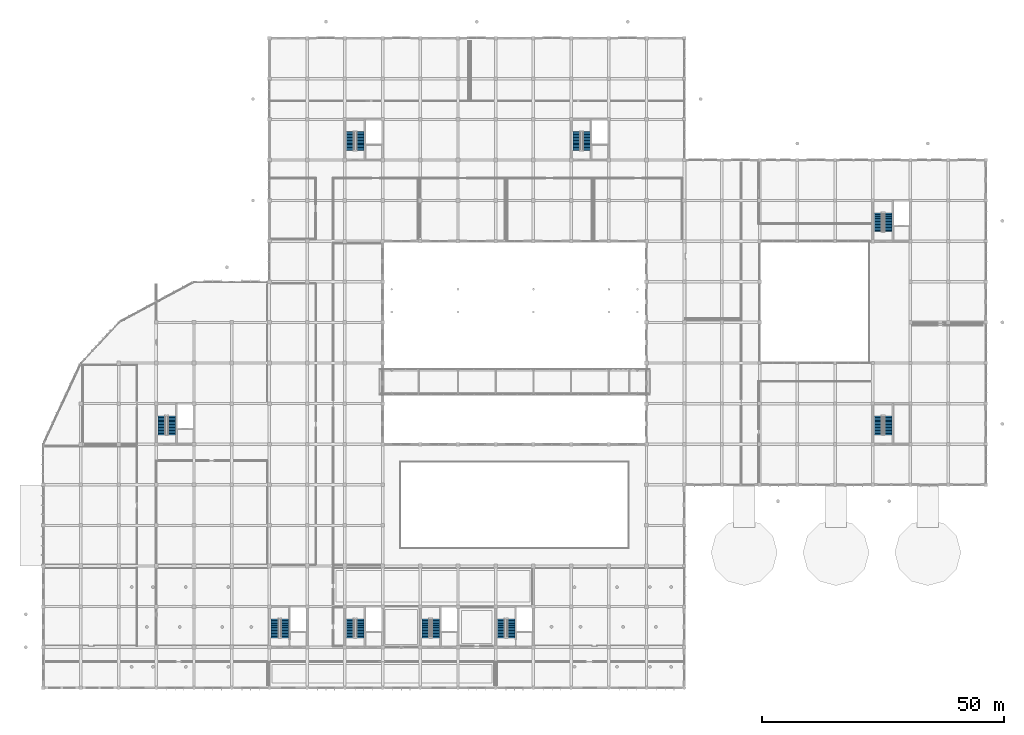
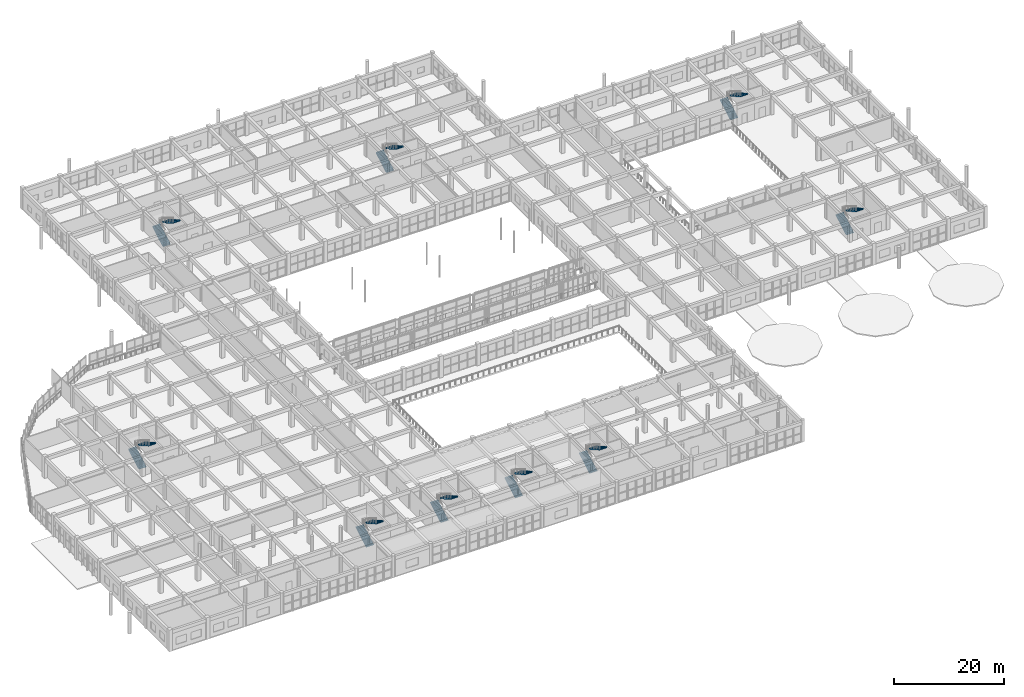
# One storey, part 168 of 175: 18 stair flights, 9 elements without a shape of their own.
"""IFC4 building model written with IfcOpenShell, lengths in metres."""

from ifc_helpers import new_model, si_unit, direction, frame, origin, place, context, subcontext, project, spatial, polyline, outline, extrude, material, type_object, element, aggregate, save


model = new_model("IFC4")

# Units and contexts
model_context = context("Model", 3, precision=1e-05, world=origin(), true_north=direction((0.0, 1.0)))
body_context = subcontext(model_context, "Body", "Model", "MODEL_VIEW")
ifc_project = project(units=[si_unit("LENGTHUNIT", "METRE"), si_unit("AREAUNIT", "SQUARE_METRE"), si_unit("VOLUMEUNIT", "CUBIC_METRE"), si_unit("PLANEANGLEUNIT", "RADIAN"), si_unit("MASSUNIT", "GRAM", prefix="KILO")], contexts=[model_context])

# Site, building, storey
site_placement = place(None, origin())
site = spatial("IfcSite", under=ifc_project, at=site_placement, CompositionType="ELEMENT")
building_placement = place(site_placement, origin())
building = spatial("IfcBuilding", under=site, at=building_placement, Name="Zizhar Promenade General Hospital", CompositionType="ELEMENT")
storey_placement = place(building_placement, frame((0.0, 0.0, 4.800048828125)))
storey = spatial("IfcBuildingStorey", under=building, at=storey_placement, Name="L01", CompositionType="ELEMENT", Elevation=4.800048828125)

# Stair, stair flights
ifc_material_1 = material(Name="Concrete C35/45", Category="concrete")
stair_type = type_object("IfcStairType", Name="STR-DOG-480", PredefinedType="HALF_TURN_STAIR", material=ifc_material_1)
stair_1_placement = place(storey_placement, origin())
stair_1 = element("IfcStair", 1, at=stair_1_placement, inside=storey, type_object=stair_type, Name="Exit Stair ST-01 (L01 to L02)", PredefinedType="HALF_TURN_STAIR")
ifc_material_2 = material(Name="Concrete C35/45", Category="concrete")
stair_flight_type = type_object("IfcStairFlightType", Name="SFL-DOG-480", PredefinedType="STRAIGHT", material=ifc_material_2)
stair_flight_1_placement = place(storey_placement, frame((24.550048828125, 52.35009765625, 0.0), z_axis=(0.0, 0.0, 1.0), x_axis=(0.0, 1.0, 0.0)))
stair_flight_1 = element("IfcStairFlight", 2, at=stair_flight_1_placement, type_object=stair_flight_type, Name="ST-01A flight 1", NumberOfRisers=14, NumberOfTreads=13, PredefinedType="STRAIGHT", RiserHeight=0.171429, TreadLength=0.3, context=body_context, shape_type="SweptSolid", body=[
    extrude(outline(polyline([(0.0, 0.0), (0.0, 0.17138671875), (0.300048828125, 0.17138671875), (0.300048828125, 0.3427734375), (0.60009765625, 0.3427734375), (0.60009765625, 0.514404296875), (0.89990234375, 0.514404296875), (0.89990234375, 0.685791015625), (1.199951171875, 0.685791015625), (1.199951171875, 0.857177734375), (1.5, 0.857177734375), (1.5, 1.028564453125), (1.800048828125, 1.028564453125), (1.800048828125, 1.199951171875), (2.10009765625, 1.199951171875), (2.10009765625, 1.371337890625), (2.39990234375, 1.371337890625), (2.39990234375, 1.54296875), (2.699951171875, 1.54296875), (2.699951171875, 1.71435546875), (3.0, 1.71435546875), (3.0, 1.8857421875), (3.300048828125, 1.8857421875), (3.300048828125, 2.05712890625), (3.60009765625, 2.05712890625), (3.60009765625, 2.228515625), (3.89990234375, 2.228515625), (3.89990234375, 2.39990234375), (3.89990234375, 2.021240234375), (0.362548828125, 0.0), (0.0, 0.0)])), frame((0.0, 0.780029296875, 0.0), z_axis=(0.0, -1.0, 0.0), x_axis=(1.0, 0.0, 0.0)), (0.0, 0.0, 1.0), 1.56005859375),
])
stair_flight_2_placement = place(storey_placement, frame((26.590087890625, 56.25, 2.39990234375), z_axis=(0.0, 0.0, 1.0), x_axis=(0.0, -1.0, 0.0)))
stair_flight_2 = element("IfcStairFlight", 3, at=stair_flight_2_placement, type_object=stair_flight_type, Name="ST-01A flight 2", NumberOfRisers=14, NumberOfTreads=13, PredefinedType="STRAIGHT", RiserHeight=0.171429, TreadLength=0.3, context=body_context, shape_type="SweptSolid", body=[
    extrude(outline(polyline([(0.0, 0.0), (0.0, 0.17138671875), (0.300048828125, 0.17138671875), (0.300048828125, 0.3427734375), (0.60009765625, 0.3427734375), (0.60009765625, 0.514404296875), (0.89990234375, 0.514404296875), (0.89990234375, 0.685791015625), (1.199951171875, 0.685791015625), (1.199951171875, 0.857177734375), (1.5, 0.857177734375), (1.5, 1.028564453125), (1.800048828125, 1.028564453125), (1.800048828125, 1.199951171875), (2.10009765625, 1.199951171875), (2.10009765625, 1.371337890625), (2.39990234375, 1.371337890625), (2.39990234375, 1.54296875), (2.699951171875, 1.54296875), (2.699951171875, 1.71435546875), (3.0, 1.71435546875), (3.0, 1.8857421875), (3.300048828125, 1.8857421875), (3.300048828125, 2.05712890625), (3.60009765625, 2.05712890625), (3.60009765625, 2.228515625), (3.89990234375, 2.228515625), (3.89990234375, 2.39990234375), (3.89990234375, 2.021240234375), (0.362548828125, 0.0), (0.0, 0.0)])), frame((0.0, 0.780029296875, 0.0), z_axis=(0.0, -1.0, 0.0), x_axis=(1.0, 0.0, 0.0)), (0.0, 0.0, 1.0), 1.56005859375),
])
aggregate(stair_1, [stair_flight_1, stair_flight_2])

stair_2_placement = place(storey_placement, origin())
stair_2 = element("IfcStair", 4, at=stair_2_placement, inside=storey, type_object=stair_type, Name="Exit Stair ST-02 (L01 to L02)", PredefinedType="HALF_TURN_STAIR")
stair_flight_3_placement = place(storey_placement, frame((47.949951171875, 10.35009765625, 0.0), z_axis=(0.0, 0.0, 1.0), x_axis=(0.0, 1.0, 0.0)))
stair_flight_3 = element("IfcStairFlight", 5, at=stair_flight_3_placement, type_object=stair_flight_type, Name="ST-02A flight 1", NumberOfRisers=14, NumberOfTreads=13, PredefinedType="STRAIGHT", RiserHeight=0.171429, TreadLength=0.3, context=body_context, shape_type="SweptSolid", body=[
    extrude(outline(polyline([(0.0, 0.0), (0.0, 0.17138671875), (0.300048828125, 0.17138671875), (0.300048828125, 0.3427734375), (0.60009765625, 0.3427734375), (0.60009765625, 0.514404296875), (0.89990234375, 0.514404296875), (0.89990234375, 0.685791015625), (1.199951171875, 0.685791015625), (1.199951171875, 0.857177734375), (1.5, 0.857177734375), (1.5, 1.028564453125), (1.800048828125, 1.028564453125), (1.800048828125, 1.199951171875), (2.10009765625, 1.199951171875), (2.10009765625, 1.371337890625), (2.39990234375, 1.371337890625), (2.39990234375, 1.54296875), (2.699951171875, 1.54296875), (2.699951171875, 1.71435546875), (3.0, 1.71435546875), (3.0, 1.8857421875), (3.300048828125, 1.8857421875), (3.300048828125, 2.05712890625), (3.60009765625, 2.05712890625), (3.60009765625, 2.228515625), (3.89990234375, 2.228515625), (3.89990234375, 2.39990234375), (3.89990234375, 2.021240234375), (0.362548828125, 0.0), (0.0, 0.0)])), frame((0.0, 0.780029296875, 0.0), z_axis=(0.0, -1.0, 0.0), x_axis=(1.0, 0.0, 0.0)), (0.0, 0.0, 1.0), 1.56005859375),
])
stair_flight_4_placement = place(storey_placement, frame((49.989990234375, 14.25, 2.39990234375), z_axis=(0.0, 0.0, 1.0), x_axis=(0.0, -1.0, 0.0)))
stair_flight_4 = element("IfcStairFlight", 6, at=stair_flight_4_placement, type_object=stair_flight_type, Name="ST-02A flight 2", NumberOfRisers=14, NumberOfTreads=13, PredefinedType="STRAIGHT", RiserHeight=0.171429, TreadLength=0.3, context=body_context, shape_type="SweptSolid", body=[
    extrude(outline(polyline([(0.0, 0.0), (0.0, 0.17138671875), (0.300048828125, 0.17138671875), (0.300048828125, 0.3427734375), (0.60009765625, 0.3427734375), (0.60009765625, 0.514404296875), (0.89990234375, 0.514404296875), (0.89990234375, 0.685791015625), (1.199951171875, 0.685791015625), (1.199951171875, 0.857177734375), (1.5, 0.857177734375), (1.5, 1.028564453125), (1.800048828125, 1.028564453125), (1.800048828125, 1.199951171875), (2.10009765625, 1.199951171875), (2.10009765625, 1.371337890625), (2.39990234375, 1.371337890625), (2.39990234375, 1.54296875), (2.699951171875, 1.54296875), (2.699951171875, 1.71435546875), (3.0, 1.71435546875), (3.0, 1.8857421875), (3.300048828125, 1.8857421875), (3.300048828125, 2.05712890625), (3.60009765625, 2.05712890625), (3.60009765625, 2.228515625), (3.89990234375, 2.228515625), (3.89990234375, 2.39990234375), (3.89990234375, 2.021240234375), (0.362548828125, 0.0), (0.0, 0.0)])), frame((0.0, 0.780029296875, 0.0), z_axis=(0.0, -1.0, 0.0), x_axis=(1.0, 0.0, 0.0)), (0.0, 0.0, 1.0), 1.56005859375),
])
aggregate(stair_2, [stair_flight_3, stair_flight_4])

stair_3_placement = place(storey_placement, origin())
stair_3 = element("IfcStair", 7, at=stair_3_placement, inside=storey, type_object=stair_type, Name="Exit Stair ST-03 (L01 to L02)", PredefinedType="HALF_TURN_STAIR")
stair_flight_5_placement = place(storey_placement, frame((63.550048828125, 10.35009765625, 0.0), z_axis=(0.0, 0.0, 1.0), x_axis=(0.0, 1.0, 0.0)))
stair_flight_5 = element("IfcStairFlight", 8, at=stair_flight_5_placement, type_object=stair_flight_type, Name="ST-03A flight 1", NumberOfRisers=14, NumberOfTreads=13, PredefinedType="STRAIGHT", RiserHeight=0.171429, TreadLength=0.3, context=body_context, shape_type="SweptSolid", body=[
    extrude(outline(polyline([(0.0, 0.0), (0.0, 0.17138671875), (0.300048828125, 0.17138671875), (0.300048828125, 0.3427734375), (0.60009765625, 0.3427734375), (0.60009765625, 0.514404296875), (0.89990234375, 0.514404296875), (0.89990234375, 0.685791015625), (1.199951171875, 0.685791015625), (1.199951171875, 0.857177734375), (1.5, 0.857177734375), (1.5, 1.028564453125), (1.800048828125, 1.028564453125), (1.800048828125, 1.199951171875), (2.10009765625, 1.199951171875), (2.10009765625, 1.371337890625), (2.39990234375, 1.371337890625), (2.39990234375, 1.54296875), (2.699951171875, 1.54296875), (2.699951171875, 1.71435546875), (3.0, 1.71435546875), (3.0, 1.8857421875), (3.300048828125, 1.8857421875), (3.300048828125, 2.05712890625), (3.60009765625, 2.05712890625), (3.60009765625, 2.228515625), (3.89990234375, 2.228515625), (3.89990234375, 2.39990234375), (3.89990234375, 2.021240234375), (0.362548828125, 0.0), (0.0, 0.0)])), frame((0.0, 0.780029296875, 0.0), z_axis=(0.0, -1.0, 0.0), x_axis=(1.0, 0.0, 0.0)), (0.0, 0.0, 1.0), 1.56005859375),
])
stair_flight_6_placement = place(storey_placement, frame((65.590087890625, 14.25, 2.39990234375), z_axis=(0.0, 0.0, 1.0), x_axis=(0.0, -1.0, 0.0)))
stair_flight_6 = element("IfcStairFlight", 9, at=stair_flight_6_placement, type_object=stair_flight_type, Name="ST-03A flight 2", NumberOfRisers=14, NumberOfTreads=13, PredefinedType="STRAIGHT", RiserHeight=0.171429, TreadLength=0.3, context=body_context, shape_type="SweptSolid", body=[
    extrude(outline(polyline([(0.0, 0.0), (0.0, 0.17138671875), (0.300048828125, 0.17138671875), (0.300048828125, 0.3427734375), (0.60009765625, 0.3427734375), (0.60009765625, 0.514404296875), (0.89990234375, 0.514404296875), (0.89990234375, 0.685791015625), (1.199951171875, 0.685791015625), (1.199951171875, 0.857177734375), (1.5, 0.857177734375), (1.5, 1.028564453125), (1.800048828125, 1.028564453125), (1.800048828125, 1.199951171875), (2.10009765625, 1.199951171875), (2.10009765625, 1.371337890625), (2.39990234375, 1.371337890625), (2.39990234375, 1.54296875), (2.699951171875, 1.54296875), (2.699951171875, 1.71435546875), (3.0, 1.71435546875), (3.0, 1.8857421875), (3.300048828125, 1.8857421875), (3.300048828125, 2.05712890625), (3.60009765625, 2.05712890625), (3.60009765625, 2.228515625), (3.89990234375, 2.228515625), (3.89990234375, 2.39990234375), (3.89990234375, 2.021240234375), (0.362548828125, 0.0), (0.0, 0.0)])), frame((0.0, 0.780029296875, 0.0), z_axis=(0.0, -1.0, 0.0), x_axis=(1.0, 0.0, 0.0)), (0.0, 0.0, 1.0), 1.56005859375),
])
aggregate(stair_3, [stair_flight_5, stair_flight_6])

stair_4_placement = place(storey_placement, origin())
stair_4 = element("IfcStair", 10, at=stair_4_placement, inside=storey, type_object=stair_type, Name="Exit Stair ST-04 (L01 to L02)", PredefinedType="HALF_TURN_STAIR")
stair_flight_7_placement = place(storey_placement, frame((79.14990234375, 10.35009765625, 0.0), z_axis=(0.0, 0.0, 1.0), x_axis=(0.0, 1.0, 0.0)))
stair_flight_7 = element("IfcStairFlight", 11, at=stair_flight_7_placement, type_object=stair_flight_type, Name="ST-04A flight 1", NumberOfRisers=14, NumberOfTreads=13, PredefinedType="STRAIGHT", RiserHeight=0.171429, TreadLength=0.3, context=body_context, shape_type="SweptSolid", body=[
    extrude(outline(polyline([(0.0, 0.0), (0.0, 0.17138671875), (0.300048828125, 0.17138671875), (0.300048828125, 0.3427734375), (0.60009765625, 0.3427734375), (0.60009765625, 0.514404296875), (0.89990234375, 0.514404296875), (0.89990234375, 0.685791015625), (1.199951171875, 0.685791015625), (1.199951171875, 0.857177734375), (1.5, 0.857177734375), (1.5, 1.028564453125), (1.800048828125, 1.028564453125), (1.800048828125, 1.199951171875), (2.10009765625, 1.199951171875), (2.10009765625, 1.371337890625), (2.39990234375, 1.371337890625), (2.39990234375, 1.54296875), (2.699951171875, 1.54296875), (2.699951171875, 1.71435546875), (3.0, 1.71435546875), (3.0, 1.8857421875), (3.300048828125, 1.8857421875), (3.300048828125, 2.05712890625), (3.60009765625, 2.05712890625), (3.60009765625, 2.228515625), (3.89990234375, 2.228515625), (3.89990234375, 2.39990234375), (3.89990234375, 2.021240234375), (0.362548828125, 0.0), (0.0, 0.0)])), frame((0.0, 0.780029296875, 0.0), z_axis=(0.0, -1.0, 0.0), x_axis=(1.0, 0.0, 0.0)), (0.0, 0.0, 1.0), 1.56005859375),
])
stair_flight_8_placement = place(storey_placement, frame((81.18994140625, 14.25, 2.39990234375), z_axis=(0.0, 0.0, 1.0), x_axis=(0.0, -1.0, 0.0)))
stair_flight_8 = element("IfcStairFlight", 12, at=stair_flight_8_placement, type_object=stair_flight_type, Name="ST-04A flight 2", NumberOfRisers=14, NumberOfTreads=13, PredefinedType="STRAIGHT", RiserHeight=0.171429, TreadLength=0.3, context=body_context, shape_type="SweptSolid", body=[
    extrude(outline(polyline([(0.0, 0.0), (0.0, 0.17138671875), (0.300048828125, 0.17138671875), (0.300048828125, 0.3427734375), (0.60009765625, 0.3427734375), (0.60009765625, 0.514404296875), (0.89990234375, 0.514404296875), (0.89990234375, 0.685791015625), (1.199951171875, 0.685791015625), (1.199951171875, 0.857177734375), (1.5, 0.857177734375), (1.5, 1.028564453125), (1.800048828125, 1.028564453125), (1.800048828125, 1.199951171875), (2.10009765625, 1.199951171875), (2.10009765625, 1.371337890625), (2.39990234375, 1.371337890625), (2.39990234375, 1.54296875), (2.699951171875, 1.54296875), (2.699951171875, 1.71435546875), (3.0, 1.71435546875), (3.0, 1.8857421875), (3.300048828125, 1.8857421875), (3.300048828125, 2.05712890625), (3.60009765625, 2.05712890625), (3.60009765625, 2.228515625), (3.89990234375, 2.228515625), (3.89990234375, 2.39990234375), (3.89990234375, 2.021240234375), (0.362548828125, 0.0), (0.0, 0.0)])), frame((0.0, 0.780029296875, 0.0), z_axis=(0.0, -1.0, 0.0), x_axis=(1.0, 0.0, 0.0)), (0.0, 0.0, 1.0), 1.56005859375),
])
aggregate(stair_4, [stair_flight_7, stair_flight_8])

stair_5_placement = place(storey_placement, origin())
stair_5 = element("IfcStair", 13, at=stair_5_placement, inside=storey, type_object=stair_type, Name="Exit Stair ST-05 (L01 to L02)", PredefinedType="HALF_TURN_STAIR")
stair_flight_9_placement = place(storey_placement, frame((94.75, 10.35009765625, 0.0), z_axis=(0.0, 0.0, 1.0), x_axis=(0.0, 1.0, 0.0)))
stair_flight_9 = element("IfcStairFlight", 14, at=stair_flight_9_placement, type_object=stair_flight_type, Name="ST-05A flight 1", NumberOfRisers=14, NumberOfTreads=13, PredefinedType="STRAIGHT", RiserHeight=0.171429, TreadLength=0.3, context=body_context, shape_type="SweptSolid", body=[
    extrude(outline(polyline([(0.0, 0.0), (0.0, 0.17138671875), (0.300048828125, 0.17138671875), (0.300048828125, 0.3427734375), (0.60009765625, 0.3427734375), (0.60009765625, 0.514404296875), (0.89990234375, 0.514404296875), (0.89990234375, 0.685791015625), (1.199951171875, 0.685791015625), (1.199951171875, 0.857177734375), (1.5, 0.857177734375), (1.5, 1.028564453125), (1.800048828125, 1.028564453125), (1.800048828125, 1.199951171875), (2.10009765625, 1.199951171875), (2.10009765625, 1.371337890625), (2.39990234375, 1.371337890625), (2.39990234375, 1.54296875), (2.699951171875, 1.54296875), (2.699951171875, 1.71435546875), (3.0, 1.71435546875), (3.0, 1.8857421875), (3.300048828125, 1.8857421875), (3.300048828125, 2.05712890625), (3.60009765625, 2.05712890625), (3.60009765625, 2.228515625), (3.89990234375, 2.228515625), (3.89990234375, 2.39990234375), (3.89990234375, 2.021240234375), (0.362548828125, 0.0), (0.0, 0.0)])), frame((0.0, 0.780029296875, 0.0), z_axis=(0.0, -1.0, 0.0), x_axis=(1.0, 0.0, 0.0)), (0.0, 0.0, 1.0), 1.56005859375),
])
stair_flight_10_placement = place(storey_placement, frame((96.7900390625, 14.25, 2.39990234375), z_axis=(0.0, 0.0, 1.0), x_axis=(0.0, -1.0, 0.0)))
stair_flight_10 = element("IfcStairFlight", 15, at=stair_flight_10_placement, type_object=stair_flight_type, Name="ST-05A flight 2", NumberOfRisers=14, NumberOfTreads=13, PredefinedType="STRAIGHT", RiserHeight=0.171429, TreadLength=0.3, context=body_context, shape_type="SweptSolid", body=[
    extrude(outline(polyline([(0.0, 0.0), (0.0, 0.17138671875), (0.300048828125, 0.17138671875), (0.300048828125, 0.3427734375), (0.60009765625, 0.3427734375), (0.60009765625, 0.514404296875), (0.89990234375, 0.514404296875), (0.89990234375, 0.685791015625), (1.199951171875, 0.685791015625), (1.199951171875, 0.857177734375), (1.5, 0.857177734375), (1.5, 1.028564453125), (1.800048828125, 1.028564453125), (1.800048828125, 1.199951171875), (2.10009765625, 1.199951171875), (2.10009765625, 1.371337890625), (2.39990234375, 1.371337890625), (2.39990234375, 1.54296875), (2.699951171875, 1.54296875), (2.699951171875, 1.71435546875), (3.0, 1.71435546875), (3.0, 1.8857421875), (3.300048828125, 1.8857421875), (3.300048828125, 2.05712890625), (3.60009765625, 2.05712890625), (3.60009765625, 2.228515625), (3.89990234375, 2.228515625), (3.89990234375, 2.39990234375), (3.89990234375, 2.021240234375), (0.362548828125, 0.0), (0.0, 0.0)])), frame((0.0, 0.780029296875, 0.0), z_axis=(0.0, -1.0, 0.0), x_axis=(1.0, 0.0, 0.0)), (0.0, 0.0, 1.0), 1.56005859375),
])
aggregate(stair_5, [stair_flight_9, stair_flight_10])

stair_6_placement = place(storey_placement, origin())
stair_6 = element("IfcStair", 16, at=stair_6_placement, inside=storey, type_object=stair_type, Name="Exit Stair ST-06 (L01 to L02)", PredefinedType="HALF_TURN_STAIR")
stair_flight_11_placement = place(storey_placement, frame((63.550048828125, 111.14990234375, 0.0), z_axis=(0.0, 0.0, 1.0), x_axis=(0.0, 1.0, 0.0)))
stair_flight_11 = element("IfcStairFlight", 17, at=stair_flight_11_placement, type_object=stair_flight_type, Name="ST-06A flight 1", NumberOfRisers=14, NumberOfTreads=13, PredefinedType="STRAIGHT", RiserHeight=0.171429, TreadLength=0.3, context=body_context, shape_type="SweptSolid", body=[
    extrude(outline(polyline([(0.0, 0.0), (0.0, 0.17138671875), (0.300048828125, 0.17138671875), (0.300048828125, 0.3427734375), (0.60009765625, 0.3427734375), (0.60009765625, 0.514404296875), (0.89990234375, 0.514404296875), (0.89990234375, 0.685791015625), (1.199951171875, 0.685791015625), (1.199951171875, 0.857177734375), (1.5, 0.857177734375), (1.5, 1.028564453125), (1.800048828125, 1.028564453125), (1.800048828125, 1.199951171875), (2.10009765625, 1.199951171875), (2.10009765625, 1.371337890625), (2.39990234375, 1.371337890625), (2.39990234375, 1.54296875), (2.699951171875, 1.54296875), (2.699951171875, 1.71435546875), (3.0, 1.71435546875), (3.0, 1.8857421875), (3.300048828125, 1.8857421875), (3.300048828125, 2.05712890625), (3.60009765625, 2.05712890625), (3.60009765625, 2.228515625), (3.89990234375, 2.228515625), (3.89990234375, 2.39990234375), (3.89990234375, 2.021240234375), (0.362548828125, 0.0), (0.0, 0.0)])), frame((0.0, 0.780029296875, 0.0), z_axis=(0.0, -1.0, 0.0), x_axis=(1.0, 0.0, 0.0)), (0.0, 0.0, 1.0), 1.56005859375),
])
stair_flight_12_placement = place(storey_placement, frame((65.590087890625, 115.050048828125, 2.39990234375), z_axis=(0.0, 0.0, 1.0), x_axis=(0.0, -1.0, 0.0)))
stair_flight_12 = element("IfcStairFlight", 18, at=stair_flight_12_placement, type_object=stair_flight_type, Name="ST-06A flight 2", NumberOfRisers=14, NumberOfTreads=13, PredefinedType="STRAIGHT", RiserHeight=0.171429, TreadLength=0.3, context=body_context, shape_type="SweptSolid", body=[
    extrude(outline(polyline([(0.0, 0.0), (0.0, 0.17138671875), (0.300048828125, 0.17138671875), (0.300048828125, 0.3427734375), (0.60009765625, 0.3427734375), (0.60009765625, 0.514404296875), (0.89990234375, 0.514404296875), (0.89990234375, 0.685791015625), (1.199951171875, 0.685791015625), (1.199951171875, 0.857177734375), (1.5, 0.857177734375), (1.5, 1.028564453125), (1.800048828125, 1.028564453125), (1.800048828125, 1.199951171875), (2.10009765625, 1.199951171875), (2.10009765625, 1.371337890625), (2.39990234375, 1.371337890625), (2.39990234375, 1.54296875), (2.699951171875, 1.54296875), (2.699951171875, 1.71435546875), (3.0, 1.71435546875), (3.0, 1.8857421875), (3.300048828125, 1.8857421875), (3.300048828125, 2.05712890625), (3.60009765625, 2.05712890625), (3.60009765625, 2.228515625), (3.89990234375, 2.228515625), (3.89990234375, 2.39990234375), (3.89990234375, 2.021240234375), (0.362548828125, 0.0), (0.0, 0.0)])), frame((0.0, 0.780029296875, 0.0), z_axis=(0.0, -1.0, 0.0), x_axis=(1.0, 0.0, 0.0)), (0.0, 0.0, 1.0), 1.56005859375),
])
aggregate(stair_6, [stair_flight_11, stair_flight_12])

stair_7_placement = place(storey_placement, origin())
stair_7 = element("IfcStair", 19, at=stair_7_placement, inside=storey, type_object=stair_type, Name="Exit Stair ST-07 (L01 to L02)", PredefinedType="HALF_TURN_STAIR")
stair_flight_13_placement = place(storey_placement, frame((110.35009765625, 111.14990234375, 0.0), z_axis=(0.0, 0.0, 1.0), x_axis=(0.0, 1.0, 0.0)))
stair_flight_13 = element("IfcStairFlight", 20, at=stair_flight_13_placement, type_object=stair_flight_type, Name="ST-07A flight 1", NumberOfRisers=14, NumberOfTreads=13, PredefinedType="STRAIGHT", RiserHeight=0.171429, TreadLength=0.3, context=body_context, shape_type="SweptSolid", body=[
    extrude(outline(polyline([(0.0, 0.0), (0.0, 0.17138671875), (0.300048828125, 0.17138671875), (0.300048828125, 0.3427734375), (0.60009765625, 0.3427734375), (0.60009765625, 0.514404296875), (0.89990234375, 0.514404296875), (0.89990234375, 0.685791015625), (1.199951171875, 0.685791015625), (1.199951171875, 0.857177734375), (1.5, 0.857177734375), (1.5, 1.028564453125), (1.800048828125, 1.028564453125), (1.800048828125, 1.199951171875), (2.10009765625, 1.199951171875), (2.10009765625, 1.371337890625), (2.39990234375, 1.371337890625), (2.39990234375, 1.54296875), (2.699951171875, 1.54296875), (2.699951171875, 1.71435546875), (3.0, 1.71435546875), (3.0, 1.8857421875), (3.300048828125, 1.8857421875), (3.300048828125, 2.05712890625), (3.60009765625, 2.05712890625), (3.60009765625, 2.228515625), (3.89990234375, 2.228515625), (3.89990234375, 2.39990234375), (3.89990234375, 2.021240234375), (0.362548828125, 0.0), (0.0, 0.0)])), frame((0.0, 0.780029296875, 0.0), z_axis=(0.0, -1.0, 0.0), x_axis=(1.0, 0.0, 0.0)), (0.0, 0.0, 1.0), 1.56005859375),
])
stair_flight_14_placement = place(storey_placement, frame((112.389892578125, 115.050048828125, 2.39990234375), z_axis=(0.0, 0.0, 1.0), x_axis=(0.0, -1.0, 0.0)))
stair_flight_14 = element("IfcStairFlight", 21, at=stair_flight_14_placement, type_object=stair_flight_type, Name="ST-07A flight 2", NumberOfRisers=14, NumberOfTreads=13, PredefinedType="STRAIGHT", RiserHeight=0.171429, TreadLength=0.3, context=body_context, shape_type="SweptSolid", body=[
    extrude(outline(polyline([(0.0, 0.0), (0.0, 0.17138671875), (0.300048828125, 0.17138671875), (0.300048828125, 0.3427734375), (0.60009765625, 0.3427734375), (0.60009765625, 0.514404296875), (0.89990234375, 0.514404296875), (0.89990234375, 0.685791015625), (1.199951171875, 0.685791015625), (1.199951171875, 0.857177734375), (1.5, 0.857177734375), (1.5, 1.028564453125), (1.800048828125, 1.028564453125), (1.800048828125, 1.199951171875), (2.10009765625, 1.199951171875), (2.10009765625, 1.371337890625), (2.39990234375, 1.371337890625), (2.39990234375, 1.54296875), (2.699951171875, 1.54296875), (2.699951171875, 1.71435546875), (3.0, 1.71435546875), (3.0, 1.8857421875), (3.300048828125, 1.8857421875), (3.300048828125, 2.05712890625), (3.60009765625, 2.05712890625), (3.60009765625, 2.228515625), (3.89990234375, 2.228515625), (3.89990234375, 2.39990234375), (3.89990234375, 2.021240234375), (0.362548828125, 0.0), (0.0, 0.0)])), frame((0.0, 0.780029296875, 0.0), z_axis=(0.0, -1.0, 0.0), x_axis=(1.0, 0.0, 0.0)), (0.0, 0.0, 1.0), 1.56005859375),
])
aggregate(stair_7, [stair_flight_13, stair_flight_14])

stair_8_placement = place(storey_placement, origin())
stair_8 = element("IfcStair", 22, at=stair_8_placement, inside=storey, type_object=stair_type, Name="Exit Stair ST-08 (L01 to L02)", PredefinedType="HALF_TURN_STAIR")
stair_flight_15_placement = place(storey_placement, frame((172.75, 94.35009765625, 0.0), z_axis=(0.0, 0.0, 1.0), x_axis=(0.0, 1.0, 0.0)))
stair_flight_15 = element("IfcStairFlight", 23, at=stair_flight_15_placement, type_object=stair_flight_type, Name="ST-08A flight 1", NumberOfRisers=14, NumberOfTreads=13, PredefinedType="STRAIGHT", RiserHeight=0.171429, TreadLength=0.3, context=body_context, shape_type="SweptSolid", body=[
    extrude(outline(polyline([(0.0, 0.0), (0.0, 0.17138671875), (0.300048828125, 0.17138671875), (0.300048828125, 0.3427734375), (0.60009765625, 0.3427734375), (0.60009765625, 0.514404296875), (0.89990234375, 0.514404296875), (0.89990234375, 0.685791015625), (1.199951171875, 0.685791015625), (1.199951171875, 0.857177734375), (1.5, 0.857177734375), (1.5, 1.028564453125), (1.800048828125, 1.028564453125), (1.800048828125, 1.199951171875), (2.10009765625, 1.199951171875), (2.10009765625, 1.371337890625), (2.39990234375, 1.371337890625), (2.39990234375, 1.54296875), (2.699951171875, 1.54296875), (2.699951171875, 1.71435546875), (3.0, 1.71435546875), (3.0, 1.8857421875), (3.300048828125, 1.8857421875), (3.300048828125, 2.05712890625), (3.60009765625, 2.05712890625), (3.60009765625, 2.228515625), (3.89990234375, 2.228515625), (3.89990234375, 2.39990234375), (3.89990234375, 2.021240234375), (0.362548828125, 0.0), (0.0, 0.0)])), frame((0.0, 0.780029296875, 0.0), z_axis=(0.0, -1.0, 0.0), x_axis=(1.0, 0.0, 0.0)), (0.0, 0.0, 1.0), 1.56005859375),
])
stair_flight_16_placement = place(storey_placement, frame((174.7900390625, 98.25, 2.39990234375), z_axis=(0.0, 0.0, 1.0), x_axis=(0.0, -1.0, 0.0)))
stair_flight_16 = element("IfcStairFlight", 24, at=stair_flight_16_placement, type_object=stair_flight_type, Name="ST-08A flight 2", NumberOfRisers=14, NumberOfTreads=13, PredefinedType="STRAIGHT", RiserHeight=0.171429, TreadLength=0.3, context=body_context, shape_type="SweptSolid", body=[
    extrude(outline(polyline([(0.0, 0.0), (0.0, 0.17138671875), (0.300048828125, 0.17138671875), (0.300048828125, 0.3427734375), (0.60009765625, 0.3427734375), (0.60009765625, 0.514404296875), (0.89990234375, 0.514404296875), (0.89990234375, 0.685791015625), (1.199951171875, 0.685791015625), (1.199951171875, 0.857177734375), (1.5, 0.857177734375), (1.5, 1.028564453125), (1.800048828125, 1.028564453125), (1.800048828125, 1.199951171875), (2.10009765625, 1.199951171875), (2.10009765625, 1.371337890625), (2.39990234375, 1.371337890625), (2.39990234375, 1.54296875), (2.699951171875, 1.54296875), (2.699951171875, 1.71435546875), (3.0, 1.71435546875), (3.0, 1.8857421875), (3.300048828125, 1.8857421875), (3.300048828125, 2.05712890625), (3.60009765625, 2.05712890625), (3.60009765625, 2.228515625), (3.89990234375, 2.228515625), (3.89990234375, 2.39990234375), (3.89990234375, 2.021240234375), (0.362548828125, 0.0), (0.0, 0.0)])), frame((0.0, 0.780029296875, 0.0), z_axis=(0.0, -1.0, 0.0), x_axis=(1.0, 0.0, 0.0)), (0.0, 0.0, 1.0), 1.56005859375),
])
aggregate(stair_8, [stair_flight_15, stair_flight_16])

stair_9_placement = place(storey_placement, origin())
stair_9 = element("IfcStair", 25, at=stair_9_placement, inside=storey, type_object=stair_type, Name="Exit Stair ST-09 (L01 to L02)", PredefinedType="HALF_TURN_STAIR")
stair_flight_17_placement = place(storey_placement, frame((172.75, 52.35009765625, 0.0), z_axis=(0.0, 0.0, 1.0), x_axis=(0.0, 1.0, 0.0)))
stair_flight_17 = element("IfcStairFlight", 26, at=stair_flight_17_placement, type_object=stair_flight_type, Name="ST-09A flight 1", NumberOfRisers=14, NumberOfTreads=13, PredefinedType="STRAIGHT", RiserHeight=0.171429, TreadLength=0.3, context=body_context, shape_type="SweptSolid", body=[
    extrude(outline(polyline([(0.0, 0.0), (0.0, 0.17138671875), (0.300048828125, 0.17138671875), (0.300048828125, 0.3427734375), (0.60009765625, 0.3427734375), (0.60009765625, 0.514404296875), (0.89990234375, 0.514404296875), (0.89990234375, 0.685791015625), (1.199951171875, 0.685791015625), (1.199951171875, 0.857177734375), (1.5, 0.857177734375), (1.5, 1.028564453125), (1.800048828125, 1.028564453125), (1.800048828125, 1.199951171875), (2.10009765625, 1.199951171875), (2.10009765625, 1.371337890625), (2.39990234375, 1.371337890625), (2.39990234375, 1.54296875), (2.699951171875, 1.54296875), (2.699951171875, 1.71435546875), (3.0, 1.71435546875), (3.0, 1.8857421875), (3.300048828125, 1.8857421875), (3.300048828125, 2.05712890625), (3.60009765625, 2.05712890625), (3.60009765625, 2.228515625), (3.89990234375, 2.228515625), (3.89990234375, 2.39990234375), (3.89990234375, 2.021240234375), (0.362548828125, 0.0), (0.0, 0.0)])), frame((0.0, 0.780029296875, 0.0), z_axis=(0.0, -1.0, 0.0), x_axis=(1.0, 0.0, 0.0)), (0.0, 0.0, 1.0), 1.56005859375),
])
stair_flight_18_placement = place(storey_placement, frame((174.7900390625, 56.25, 2.39990234375), z_axis=(0.0, 0.0, 1.0), x_axis=(0.0, -1.0, 0.0)))
stair_flight_18 = element("IfcStairFlight", 27, at=stair_flight_18_placement, type_object=stair_flight_type, Name="ST-09A flight 2", NumberOfRisers=14, NumberOfTreads=13, PredefinedType="STRAIGHT", RiserHeight=0.171429, TreadLength=0.3, context=body_context, shape_type="SweptSolid", body=[
    extrude(outline(polyline([(0.0, 0.0), (0.0, 0.17138671875), (0.300048828125, 0.17138671875), (0.300048828125, 0.3427734375), (0.60009765625, 0.3427734375), (0.60009765625, 0.514404296875), (0.89990234375, 0.514404296875), (0.89990234375, 0.685791015625), (1.199951171875, 0.685791015625), (1.199951171875, 0.857177734375), (1.5, 0.857177734375), (1.5, 1.028564453125), (1.800048828125, 1.028564453125), (1.800048828125, 1.199951171875), (2.10009765625, 1.199951171875), (2.10009765625, 1.371337890625), (2.39990234375, 1.371337890625), (2.39990234375, 1.54296875), (2.699951171875, 1.54296875), (2.699951171875, 1.71435546875), (3.0, 1.71435546875), (3.0, 1.8857421875), (3.300048828125, 1.8857421875), (3.300048828125, 2.05712890625), (3.60009765625, 2.05712890625), (3.60009765625, 2.228515625), (3.89990234375, 2.228515625), (3.89990234375, 2.39990234375), (3.89990234375, 2.021240234375), (0.362548828125, 0.0), (0.0, 0.0)])), frame((0.0, 0.780029296875, 0.0), z_axis=(0.0, -1.0, 0.0), x_axis=(1.0, 0.0, 0.0)), (0.0, 0.0, 1.0), 1.56005859375),
])
aggregate(stair_9, [stair_flight_17, stair_flight_18])

save(model, "model.ifc")
